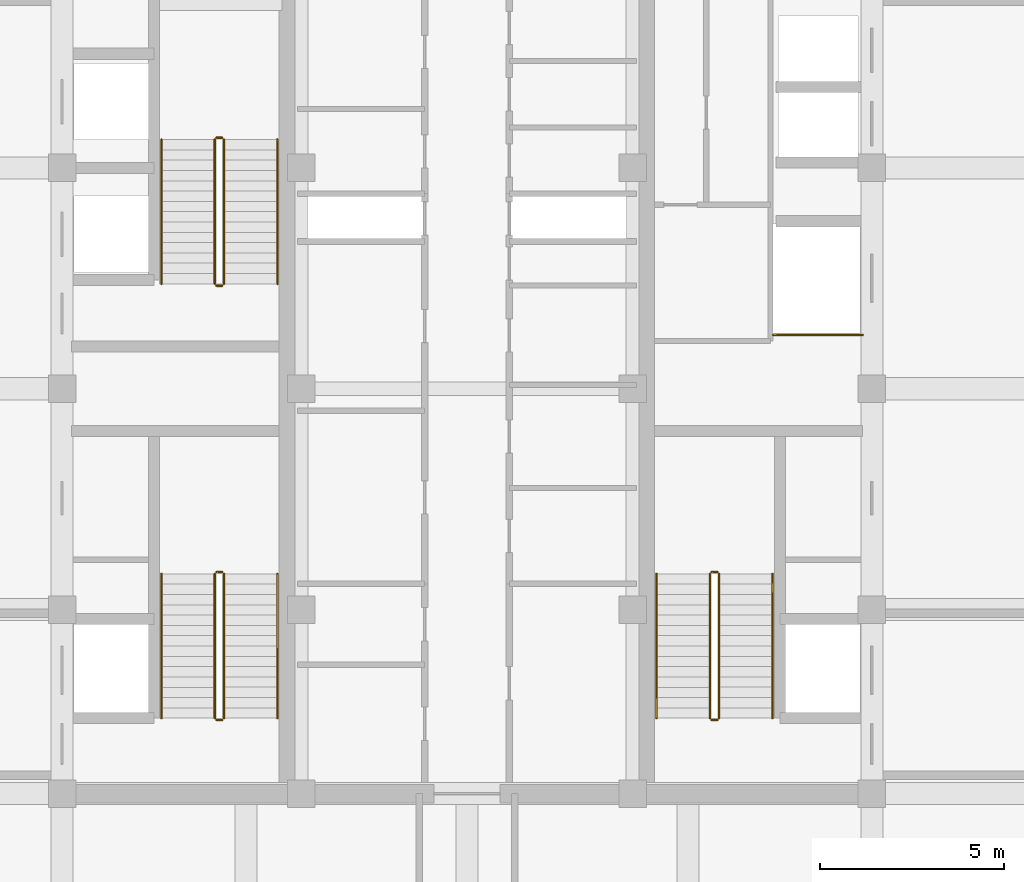
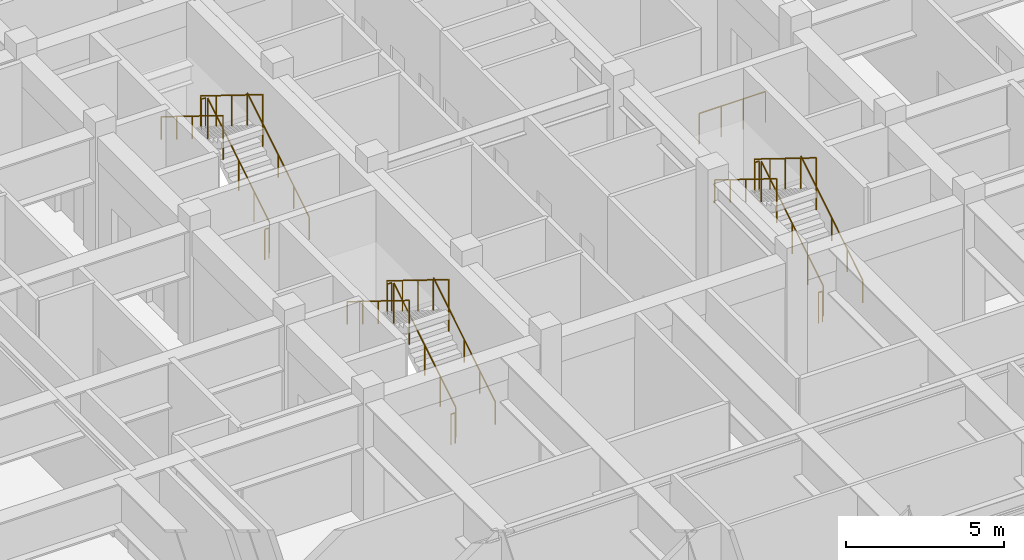
# One storey, part 29 of 29: 19 railings.
"""IFC4 building model written with IfcOpenShell, lengths in metres."""

from ifc_helpers import new_model, si_unit, direction, frame, origin, origin_2d, place, context, subcontext, project, spatial, circle, extrude, source, transform, mapped, material, type_object, element, save


model = new_model("IFC4")

# Units and contexts
model_context = context("Model", 3, precision=1e-05, world=origin(), true_north=direction((0.0, 1.0)))
body_context = subcontext(model_context, "Body", "Model", "MODEL_VIEW")
ifc_project = project(units=[si_unit("LENGTHUNIT", "METRE"), si_unit("AREAUNIT", "SQUARE_METRE"), si_unit("VOLUMEUNIT", "CUBIC_METRE"), si_unit("PLANEANGLEUNIT", "RADIAN"), si_unit("MASSUNIT", "GRAM", prefix="KILO")], contexts=[model_context])

# Site, building, storey
site_placement = place(None, origin())
site = spatial("IfcSite", under=ifc_project, at=site_placement, CompositionType="ELEMENT")
building_placement = place(site_placement, origin())
building = spatial("IfcBuilding", under=site, at=building_placement, Name="Khorayat Bourse Tower", CompositionType="ELEMENT")
storey_placement = place(building_placement, frame((0.0, 0.0, 370.300048828125)))
storey = spatial("IfcBuildingStorey", under=building, at=storey_placement, Name="L88", CompositionType="ELEMENT", Elevation=370.300048828125)

# Railings
ifc_material_1 = material(Name="Powder-coated steel balustrade", Category="steel")
railing_type_1 = type_object("IfcRailingType", Name="RLG-GUARD-1200", PredefinedType="GUARDRAIL", material=ifc_material_1)
shared_shape_1 = source(origin(), body_context, "Body", "SweptSolid", [
    extrude(circle(Radius=0.02392578125, at=origin_2d()), frame((0.0, 0.0, 1.17578125), z_axis=(-1.0, 0.0, 0.0), x_axis=(0.0, -1.0, 0.0)), (0.0, 0.0, 1.0), 0.150146484375),
    extrude(circle(Radius=0.02099609375, at=origin_2d()), origin(), (0.0, 0.0, 1.0), 1.15185546875),
    extrude(circle(Radius=0.02099609375, at=origin_2d()), frame((-0.150146484375, 0.0, 0.0)), (0.0, 0.0, 1.0), 1.15185546875),
])
for number, where, name in (
    (1, (-6.64990234375, -4.97998046875, 2.599853515625), "L88 ST-1 stair guard 2"),
    (2, (-6.64990234375, -9.0, 0.0), "L88 ST-1 stair guard 4"),
    (3, (-6.64990234375, 6.820068359375, 2.599853515625), "L88 ST-2 stair guard 2"),
    (4, (-6.64990234375, 2.800048828125, 0.0), "L88 ST-2 stair guard 4"),
    (5, (6.800048828125, -4.97998046875, 2.599853515625), "L88 ST-3 stair guard 2"),
    (6, (6.800048828125, -9.0, 0.0), "L88 ST-3 stair guard 4"),
):
    element("IfcRailing", number, at=place(storey_placement, frame(where)), inside=storey, type_object=railing_type_1, Name=name, PredefinedType="GUARDRAIL", context=body_context, shape_type="MappedRepresentation", body=[
        mapped(shared_shape_1, transform((0.0, 0.0, 0.0), scale=1.0)),
    ])
shared_shape_2 = source(origin(), body_context, "Body", "SweptSolid", [
    extrude(circle(Radius=0.02392578125, at=origin_2d()), frame((0.0, 0.0, 1.17578125), z_axis=(0.0, -0.850251603719, 0.526376491091), x_axis=(1.0, 0.0, 0.0)), (0.0, 0.0, 1.0), 4.6103515625),
    extrude(circle(Radius=0.02099609375, at=origin_2d()), origin(), (0.0, 0.0, 1.0), 1.15185546875),
    extrude(circle(Radius=0.02099609375, at=origin_2d()), frame((0.0, -0.97998046875, 0.606689453125)), (0.0, 0.0, 1.0), 1.15185546875),
    extrude(circle(Radius=0.02099609375, at=origin_2d()), frame((0.0, -1.9599609375, 1.21337890625)), (0.0, 0.0, 1.0), 1.15185546875),
    extrude(circle(Radius=0.02099609375, at=origin_2d()), frame((0.0, -2.93994140625, 1.820068359375)), (0.0, 0.0, 1.0), 1.15185546875),
    extrude(circle(Radius=0.02099609375, at=origin_2d()), frame((0.0, -3.919921875, 2.4267578125)), (0.0, 0.0, 1.0), 1.15185546875),
])
for number, where, name in (
    (7, (-6.85009765625, -5.030029296875, 2.773193359375), "L88 ST-1 stair guard 3"),
    (8, (-6.85009765625, 6.77001953125, 2.773193359375), "L88 ST-2 stair guard 3"),
    (9, (6.60009765625, -5.030029296875, 2.773193359375), "L88 ST-3 stair guard 3"),
):
    element("IfcRailing", number, at=place(storey_placement, frame(where)), inside=storey, type_object=railing_type_1, Name=name, PredefinedType="GUARDRAIL", context=body_context, shape_type="MappedRepresentation", body=[
        mapped(shared_shape_2, transform((0.0, 0.0, 0.0), scale=1.0)),
    ])
ifc_material_2 = material(Name="Brushed bronze stainless-steel handrail", Category="steel")
railing_type_2 = type_object("IfcRailingType", Name="RLG-HAND-900", PredefinedType="HANDRAIL", material=ifc_material_2)
shared_shape_3 = source(origin(), body_context, "Body", "SweptSolid", [
    extrude(circle(Radius=0.02392578125, at=origin_2d()), frame((0.0, 0.0, 0.8759765625), z_axis=(0.0, -0.850251603719, 0.526376491091), x_axis=(1.0, 0.0, 0.0)), (0.0, 0.0, 1.0), 4.6103515625),
    extrude(circle(Radius=0.02099609375, at=origin_2d()), origin(), (0.0, 0.0, 1.0), 0.851806640625),
    extrude(circle(Radius=0.02099609375, at=origin_2d()), frame((0.0, -0.97998046875, 0.606689453125)), (0.0, 0.0, 1.0), 0.851806640625),
    extrude(circle(Radius=0.02099609375, at=origin_2d()), frame((0.0, -1.9599609375, 1.21337890625)), (0.0, 0.0, 1.0), 0.851806640625),
    extrude(circle(Radius=0.02099609375, at=origin_2d()), frame((0.0, -2.93994140625, 1.820068359375)), (0.0, 0.0, 1.0), 0.851806640625),
    extrude(circle(Radius=0.02099609375, at=origin_2d()), frame((0.0, -3.919921875, 2.4267578125)), (0.0, 0.0, 1.0), 0.851806640625),
])
for number, where, name in (
    (10, (-8.300048828125, -5.030029296875, 2.773193359375), "L88 ST-1 stair handrail 2"),
    (11, (-8.300048828125, 6.77001953125, 2.773193359375), "L88 ST-2 stair handrail 2"),
    (12, (5.14990234375, -5.030029296875, 2.773193359375), "L88 ST-3 stair handrail 2"),
):
    element("IfcRailing", number, at=place(storey_placement, frame(where)), inside=storey, type_object=railing_type_2, Name=name, PredefinedType="HANDRAIL", context=body_context, shape_type="MappedRepresentation", body=[
        mapped(shared_shape_3, transform((0.0, 0.0, 0.0), scale=1.0)),
    ])
shared_shape_4 = source(origin(), body_context, "Body", "SweptSolid", [
    extrude(circle(Radius=0.02392578125, at=origin_2d()), frame((0.0, 0.0, 1.17578125), z_axis=(0.0, 0.850275303828, 0.526338206574), x_axis=(-1.0, 0.0, 0.0)), (0.0, 0.0, 1.0), 4.610107421875),
    extrude(circle(Radius=0.02099609375, at=origin_2d()), origin(), (0.0, 0.0, 1.0), 1.15185546875),
    extrude(circle(Radius=0.02099609375, at=origin_2d()), frame((0.0, 0.97998046875, 0.606689453125)), (0.0, 0.0, 1.0), 1.15185546875),
    extrude(circle(Radius=0.02099609375, at=origin_2d()), frame((0.0, 1.9599609375, 1.21337890625)), (0.0, 0.0, 1.0), 1.15185546875),
    extrude(circle(Radius=0.02099609375, at=origin_2d()), frame((0.0, 2.93994140625, 1.81982421875)), (0.0, 0.0, 1.0), 1.15185546875),
    extrude(circle(Radius=0.02099609375, at=origin_2d()), frame((0.0, 3.919921875, 2.426513671875)), (0.0, 0.0, 1.0), 1.15185546875),
])
for number, where, name in (
    (13, (-6.60009765625, -8.949951171875, 0.17333984375), "L88 ST-1 stair guard 1"),
    (14, (-6.60009765625, 2.85009765625, 0.17333984375), "L88 ST-2 stair guard 1"),
    (15, (6.85009765625, -8.949951171875, 0.17333984375), "L88 ST-3 stair guard 1"),
):
    element("IfcRailing", number, at=place(storey_placement, frame(where)), inside=storey, type_object=railing_type_1, Name=name, PredefinedType="GUARDRAIL", context=body_context, shape_type="MappedRepresentation", body=[
        mapped(shared_shape_4, transform((0.0, 0.0, 0.0), scale=1.0)),
    ])
shared_shape_5 = source(origin(), body_context, "Body", "SweptSolid", [
    extrude(circle(Radius=0.02392578125, at=origin_2d()), frame((0.0, 0.0, 0.8759765625), z_axis=(0.0, 0.850275303828, 0.526338206574), x_axis=(-1.0, 0.0, 0.0)), (0.0, 0.0, 1.0), 4.610107421875),
    extrude(circle(Radius=0.02099609375, at=origin_2d()), origin(), (0.0, 0.0, 1.0), 0.851806640625),
    extrude(circle(Radius=0.02099609375, at=origin_2d()), frame((0.0, 0.97998046875, 0.606689453125)), (0.0, 0.0, 1.0), 0.851806640625),
    extrude(circle(Radius=0.02099609375, at=origin_2d()), frame((0.0, 1.9599609375, 1.21337890625)), (0.0, 0.0, 1.0), 0.851806640625),
    extrude(circle(Radius=0.02099609375, at=origin_2d()), frame((0.0, 2.93994140625, 1.81982421875)), (0.0, 0.0, 1.0), 0.851806640625),
    extrude(circle(Radius=0.02099609375, at=origin_2d()), frame((0.0, 3.919921875, 2.426513671875)), (0.0, 0.0, 1.0), 0.851806640625),
])
for number, where, name in (
    (16, (-5.14990234375, -8.949951171875, 0.17333984375), "L88 ST-1 stair handrail 1"),
    (17, (-5.14990234375, 2.85009765625, 0.17333984375), "L88 ST-2 stair handrail 1"),
    (18, (8.300048828125, -8.949951171875, 0.17333984375), "L88 ST-3 stair handrail 1"),
):
    element("IfcRailing", number, at=place(storey_placement, frame(where)), inside=storey, type_object=railing_type_2, Name=name, PredefinedType="HANDRAIL", context=body_context, shape_type="MappedRepresentation", body=[
        mapped(shared_shape_5, transform((0.0, 0.0, 0.0), scale=1.0)),
    ])
shared_shape_6 = source(origin(), body_context, "Body", "SweptSolid", [
    extrude(circle(Radius=0.02392578125, at=origin_2d()), frame((0.0, 0.0, 1.17578125), z_axis=(1.0, 0.0, 0.0), x_axis=(0.0, 1.0, 0.0)), (0.0, 0.0, 1.0), 2.429931640625),
    extrude(circle(Radius=0.02099609375, at=origin_2d()), origin(), (0.0, 0.0, 1.0), 1.15185546875),
    extrude(circle(Radius=0.02099609375, at=origin_2d()), frame((0.81005859375, 0.0, 0.0)), (0.0, 0.0, 1.0), 1.15185546875),
    extrude(circle(Radius=0.02099609375, at=origin_2d()), frame((1.619873046875, 0.0, 0.0)), (0.0, 0.0, 1.0), 1.15185546875),
    extrude(circle(Radius=0.02099609375, at=origin_2d()), frame((2.429931640625, 0.0, 0.0)), (0.0, 0.0, 1.0), 1.15185546875),
])
railing_placement = place(storey_placement, frame((8.320068359375, 1.4599609375, 0.0)))
element("IfcRailing", 19, at=railing_placement, inside=storey, type_object=railing_type_1, Name="L88 Goods Shaft Opening Guardrail", PredefinedType="GUARDRAIL", context=body_context, shape_type="MappedRepresentation", body=[
    mapped(shared_shape_6, transform((0.0, 0.0, 0.0), scale=1.0)),
])

save(model, "model.ifc")
